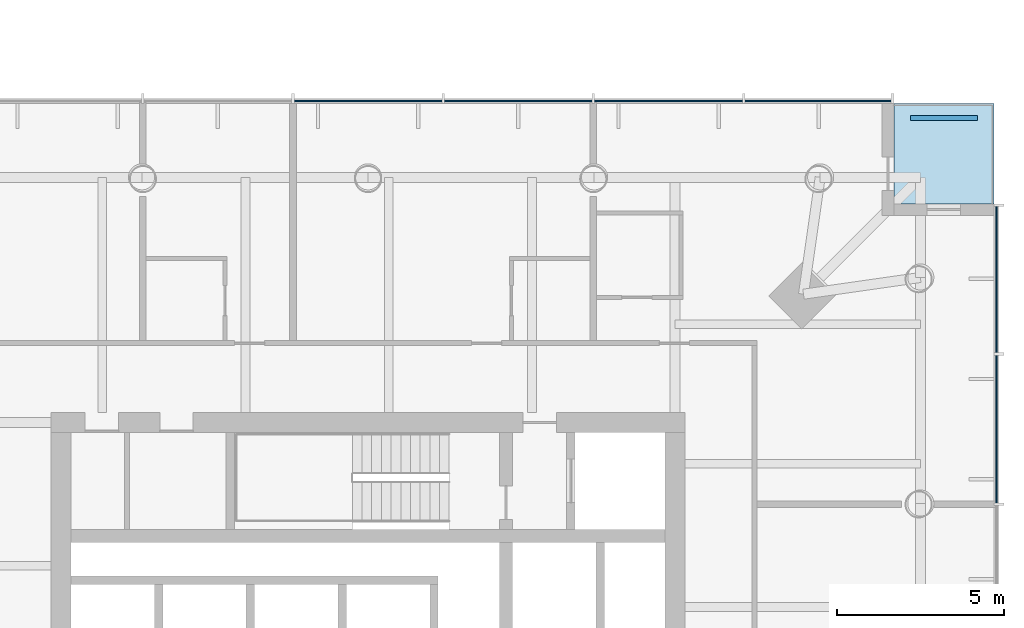
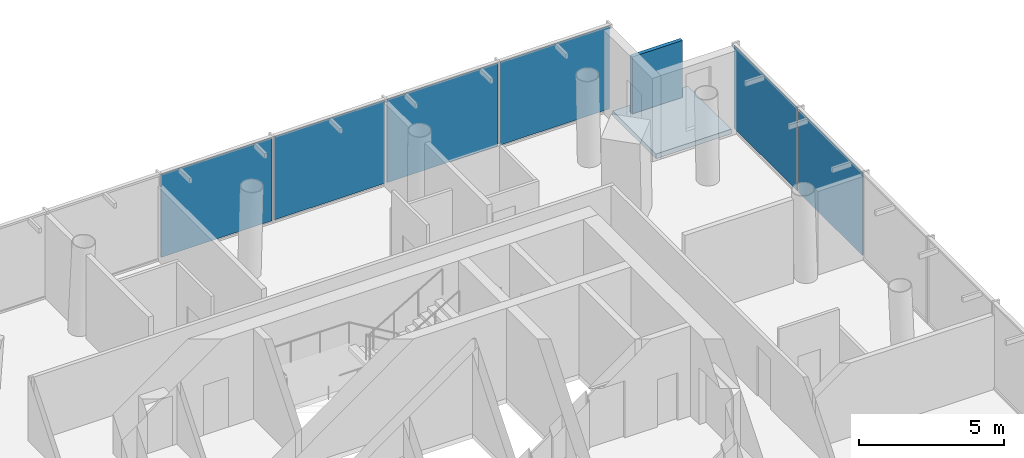
# One storey, part 11 of 24: 7 plates, 1 slab, 2 elements without a shape of their own.
"""IFC4 building model written with IfcOpenShell, lengths in metres."""

from ifc_helpers import new_model, si_unit, direction, frame, origin, origin_2d, place, context, subcontext, project, spatial, polyline, rectangle, outline, extrude, material, layer, layer_set, type_object, element, aggregate, save


model = new_model("IFC4")

# Units and contexts
model_context = context("Model", 3, precision=1e-05, world=origin(), true_north=direction((0.0, 1.0)))
body_context = subcontext(model_context, "Body", "Model", "MODEL_VIEW")
ifc_project = project(units=[si_unit("LENGTHUNIT", "METRE"), si_unit("AREAUNIT", "SQUARE_METRE"), si_unit("VOLUMEUNIT", "CUBIC_METRE"), si_unit("PLANEANGLEUNIT", "RADIAN"), si_unit("MASSUNIT", "GRAM", prefix="KILO")], contexts=[model_context])

# Site, building, storey
site_placement = place(None, origin())
site = spatial("IfcSite", under=ifc_project, at=site_placement, CompositionType="ELEMENT")
building_placement = place(site_placement, origin())
building = spatial("IfcBuilding", under=site, at=building_placement, Name="Ostroluk Exchange", CompositionType="ELEMENT")
storey_placement = place(building_placement, frame((0.0, 0.0, 78.0)))
storey = spatial("IfcBuildingStorey", under=building, at=storey_placement, Name="L19", CompositionType="ELEMENT", Elevation=78.0)

# Curtain wall, plates
ifc_material_1 = material(Name="Laminated clear glass", Category="glass")
curtain_wall_type = type_object("IfcCurtainWallType", Name="Hotel guest floor facade", PredefinedType="USERDEFINED", material=ifc_material_1)
curtain_wall_1_placement = place(storey_placement, origin())
curtain_wall_1 = element("IfcCurtainWall", 1, at=curtain_wall_1_placement, inside=storey, type_object=curtain_wall_type, Name="Hotel tower east facade L19", ObjectType="UNITISED CURTAIN WALL", PredefinedType="USERDEFINED")
ifc_material_2 = material(Name="Laminated clear glass", Category="glass")
ifc_layer_1 = layer(ifc_material_2, 0.0400390625)
ifc_layer_set_1 = layer_set([ifc_layer_1], Name="Acoustic laminated glazing 40")
plate_type_1 = type_object("IfcPlateType", Name="Acoustic laminated glazing 40", PredefinedType="CURTAIN_PANEL", material=ifc_layer_set_1)
plate_1_placement = place(storey_placement, frame((135.824951171875, 55.0, 0.080078125), z_axis=(0.0, 0.0, 1.0), x_axis=(0.0, 1.0, 0.0)))
plate_1 = element("IfcPlate", 2, at=plate_1_placement, type_object=plate_type_1, Name="CW-H1 panel 6.1", PredefinedType="CURTAIN_PANEL", context=body_context, shape_type="SweptSolid", body=[
    extrude(rectangle(XDim=4.419921875, YDim=0.0400390625, at=origin_2d()), origin(), (0.0, 0.0, 1.0), 3.489990234375),
])
plate_2_placement = place(storey_placement, frame((135.824951171875, 59.47998046875, 0.080078125), z_axis=(0.0, 0.0, 1.0), x_axis=(0.0, 1.0, 0.0)))
plate_2 = element("IfcPlate", 3, at=plate_2_placement, type_object=plate_type_1, Name="CW-H1 panel 7.1", PredefinedType="CURTAIN_PANEL", context=body_context, shape_type="SweptSolid", body=[
    extrude(rectangle(XDim=4.3798828125, YDim=0.0400390625, at=origin_2d()), origin(), (0.0, 0.0, 1.0), 3.489990234375),
])
aggregate(curtain_wall_1, [plate_1, plate_2])

curtain_wall_2_placement = place(storey_placement, origin())
curtain_wall_2 = element("IfcCurtainWall", 4, at=curtain_wall_2_placement, inside=storey, type_object=curtain_wall_type, Name="Hotel tower north facade L19", ObjectType="UNITISED CURTAIN WALL", PredefinedType="USERDEFINED")
plate_3_placement = place(storey_placement, frame((130.47998046875, 64.824951171875, 0.080078125), z_axis=(0.0, 0.0, 1.0), x_axis=(-1.0, 0.0, 0.0)))
plate_3 = element("IfcPlate", 5, at=plate_3_placement, type_object=plate_type_1, Name="CW-H1 panel 1.1", PredefinedType="CURTAIN_PANEL", context=body_context, shape_type="SweptSolid", body=[
    extrude(rectangle(XDim=4.3798828125, YDim=0.0400390625, at=origin_2d()), origin(), (0.0, 0.0, 1.0), 3.489990234375),
])
plate_4_placement = place(storey_placement, frame((126.0, 64.824951171875, 0.080078125), z_axis=(0.0, 0.0, 1.0), x_axis=(-1.0, 0.0, 0.0)))
plate_4 = element("IfcPlate", 6, at=plate_4_placement, type_object=plate_type_1, Name="CW-H1 panel 2.1", PredefinedType="CURTAIN_PANEL", context=body_context, shape_type="SweptSolid", body=[
    extrude(rectangle(XDim=4.419921875, YDim=0.0400390625, at=origin_2d()), origin(), (0.0, 0.0, 1.0), 3.489990234375),
])
plate_5_placement = place(storey_placement, frame((121.5, 64.824951171875, 0.080078125), z_axis=(0.0, 0.0, 1.0), x_axis=(-1.0, 0.0, 0.0)))
plate_5 = element("IfcPlate", 7, at=plate_5_placement, type_object=plate_type_1, Name="CW-H1 panel 3.1", PredefinedType="CURTAIN_PANEL", context=body_context, shape_type="SweptSolid", body=[
    extrude(rectangle(XDim=4.419921875, YDim=0.0400390625, at=origin_2d()), origin(), (0.0, 0.0, 1.0), 3.489990234375),
])
plate_6_placement = place(storey_placement, frame((117.0, 64.824951171875, 0.080078125), z_axis=(0.0, 0.0, 1.0), x_axis=(-1.0, 0.0, 0.0)))
plate_6 = element("IfcPlate", 8, at=plate_6_placement, type_object=plate_type_1, Name="CW-H1 panel 4.1", PredefinedType="CURTAIN_PANEL", context=body_context, shape_type="SweptSolid", body=[
    extrude(rectangle(XDim=4.419921875, YDim=0.0400390625, at=origin_2d()), origin(), (0.0, 0.0, 1.0), 3.489990234375),
])
aggregate(curtain_wall_2, [plate_3, plate_4, plate_5, plate_6])

# Slab
ifc_material_3 = material(Name="Concrete C35/45", Category="concrete")
ifc_layer_2 = layer(ifc_material_3, 0.199951171875)
ifc_layer_set_2 = layer_set([ifc_layer_2], Name="Balcony slab 200")
slab_type = type_object("IfcSlabType", Name="Balcony slab 200", PredefinedType="USERDEFINED", material=ifc_layer_set_2)
slab_placement = place(storey_placement, frame((0.0, 0.0, -0.199951171875)))
element("IfcSlab", 9, at=slab_placement, inside=storey, type_object=slab_type, Name="Hotel tower NE corner balcony L19", ObjectType="BALCONY", PredefinedType="USERDEFINED", context=body_context, shape_type="SweptSolid", body=[
    extrude(outline(polyline([(132.75, 61.75), (135.75, 61.75), (135.75, 64.75), (132.75, 64.75), (132.75, 61.75)])), origin(), (0.0, 0.0, 1.0), 0.199951171875),
])

# Plate
ifc_material_4 = material(Name="Steel S355 trellis with planting", Category="steel")
ifc_layer_3 = layer(ifc_material_4, 0.14990234375)
ifc_layer_set_3 = layer_set([ifc_layer_3], Name="Planted screen 150")
plate_type_2 = type_object("IfcPlateType", Name="Planted screen 150", PredefinedType="USERDEFINED", material=ifc_layer_set_3)
plate_7_placement = place(storey_placement, frame((134.25, 64.324951171875, 0.0), z_axis=(0.0, 0.0, 1.0), x_axis=(1.0, 0.0, 0.0)))
element("IfcPlate", 10, at=plate_7_placement, inside=storey, type_object=plate_type_2, Name="Hotel tower NE planted screen L19", ObjectType="PLANTED SCREEN", PredefinedType="USERDEFINED", context=body_context, shape_type="SweptSolid", body=[
    extrude(rectangle(XDim=2.0, YDim=0.14990234375, at=origin_2d()), origin(), (0.0, 0.0, 1.0), 2.39990234375),
])

save(model, "model.ifc")
